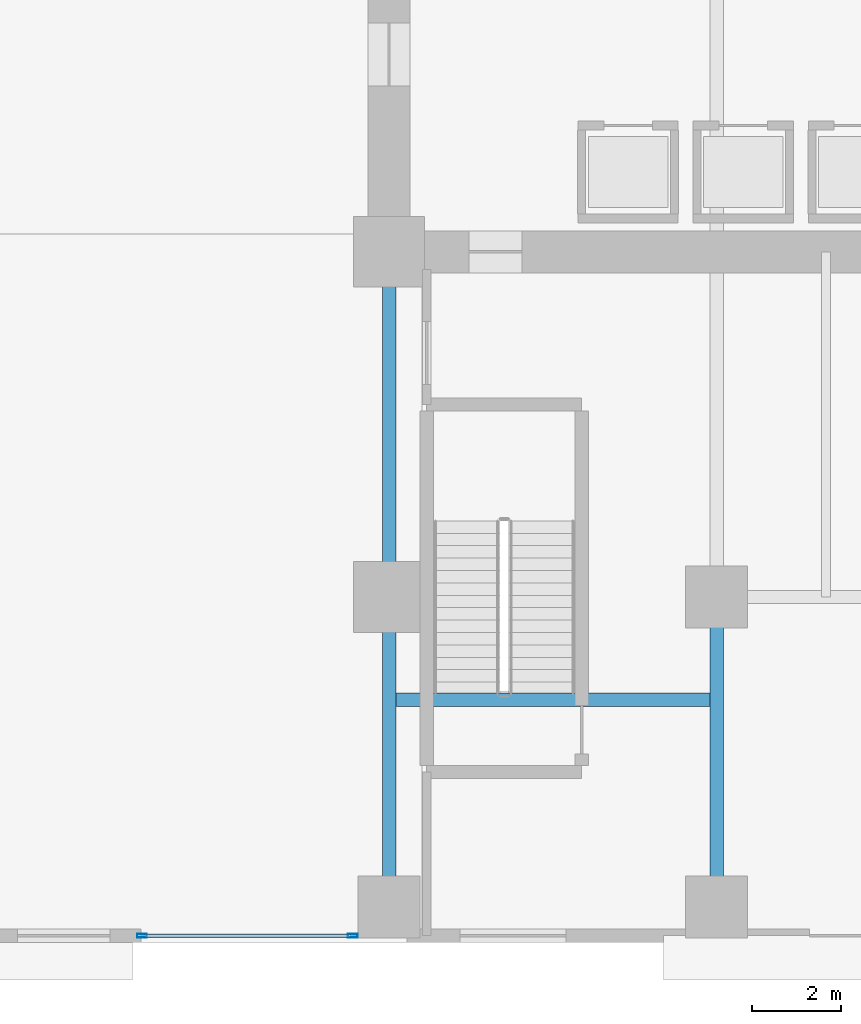
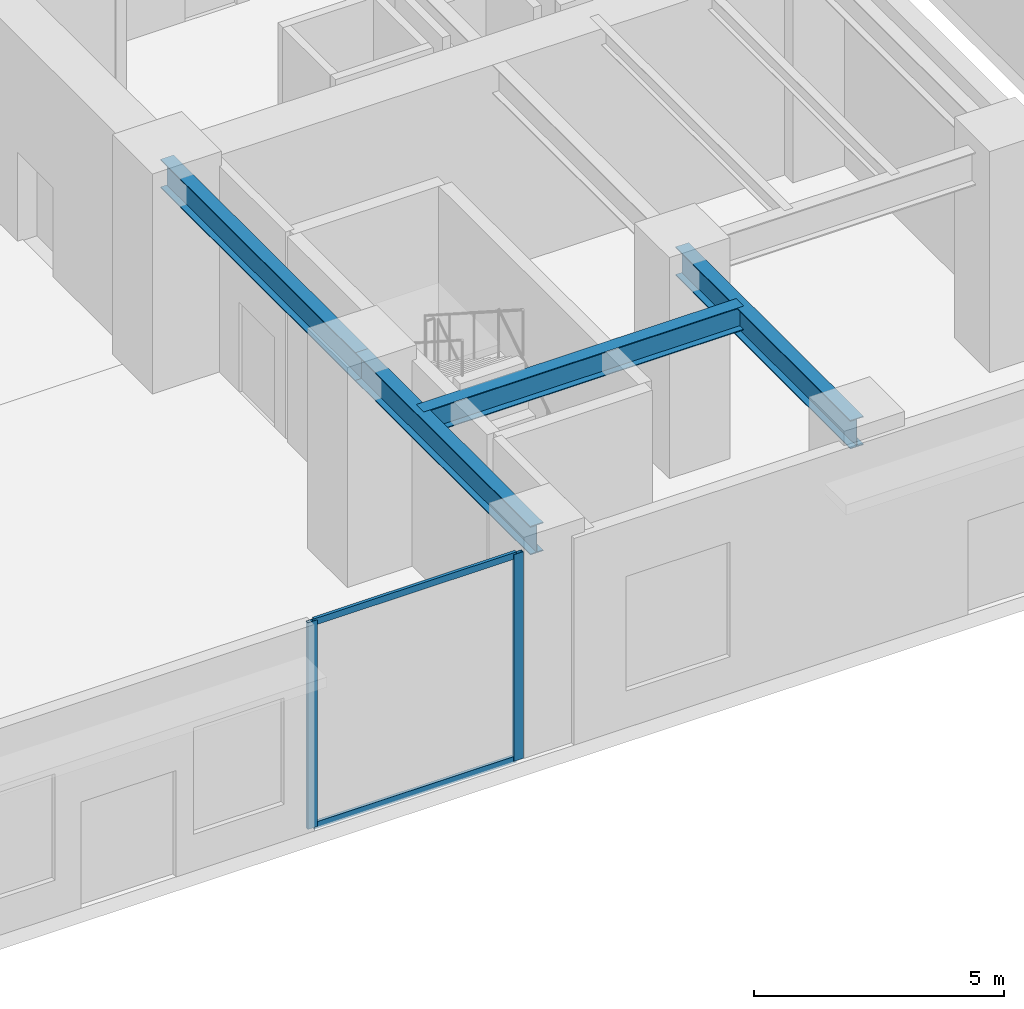
# One storey, part 7 of 28: 4 beams, 4 members, 1 element without a shape of its own.
"""IFC4 building model written with IfcOpenShell, lengths in metres."""

from ifc_helpers import new_model, si_unit, direction, frame, origin, origin_2d, place, context, subcontext, project, spatial, hollow_rectangle, i_section, extrude, source, transform, mapped, material, layer, layer_set, material_profile, profile_set, type_object, type_shapes, element, aggregate, save


model = new_model("IFC4")

# Units and contexts
model_context = context("Model", 3, precision=1e-05, world=origin(), true_north=direction((0.0, 1.0)))
body_context = subcontext(model_context, "Body", "Model", "MODEL_VIEW")
ifc_project = project(units=[si_unit("LENGTHUNIT", "METRE"), si_unit("AREAUNIT", "SQUARE_METRE"), si_unit("VOLUMEUNIT", "CUBIC_METRE"), si_unit("PLANEANGLEUNIT", "RADIAN"), si_unit("MASSUNIT", "GRAM", prefix="KILO")], contexts=[model_context])

# Site, building, storey
site_placement = place(None, origin())
site = spatial("IfcSite", under=ifc_project, at=site_placement, CompositionType="ELEMENT")
building_placement = place(site_placement, origin())
building = spatial("IfcBuilding", under=site, at=building_placement, Name="Haelvirn Gate Laboratories", CompositionType="ELEMENT")
storey_placement = place(building_placement, origin())
storey = spatial("IfcBuildingStorey", under=building, at=storey_placement, Name="L01", CompositionType="ELEMENT", Elevation=0.0)

# Beams
ifc_material_1 = material(Name="Steel SM355", Category="steel")
ifc_material_profile_1 = material_profile(ifc_material_1, i_section(OverallWidth=0.300048828125, OverallDepth=0.699951171875, WebThickness=0.012939453125, FlangeThickness=0.02392578125, at=origin_2d()), Name="H-700x300x13x24")
ifc_profile_set_1 = profile_set([ifc_material_profile_1], Name="Steel SM355")
beam_type_1 = type_object("IfcBeamType", Name="BM-G-700", PredefinedType="BEAM", material=ifc_profile_set_1)
shared_shape_1 = source(origin(), body_context, "Body", "SweptSolid", [
    extrude(i_section(OverallWidth=0.300048828125, OverallDepth=0.699951171875, WebThickness=0.012939453125, FlangeThickness=0.02392578125, at=origin_2d()), origin(), (0.0, 0.0, 1.0), 7.0),
])
for number, where, z_axis, x_axis, name in (
    (1, (52.60009765625, 0.0, 4.699951171875), (0.0, 1.0, 0.0), (-1.0, 0.0, 0.0), "L01 Stair ST4 West Trimmer Girder"),
    (2, (60.0, 0.0, 4.699951171875), (0.0, 1.0, 0.0), (-1.0, 0.0, 0.0), "L01 Stair ST4 East Trimmer Girder"),
):
    element("IfcBeam", number, at=place(storey_placement, frame(where, z_axis=z_axis, x_axis=x_axis)), inside=storey, type_object=beam_type_1, Name=name, PredefinedType="BEAM", context=body_context, shape_type="MappedRepresentation", body=[
        mapped(shared_shape_1, transform((0.0, 0.0, 0.0), scale=1.0)),
    ])
ifc_material_profile_2 = material_profile(ifc_material_1, i_section(OverallWidth=0.300048828125, OverallDepth=0.587890625, WebThickness=0.011962890625, FlangeThickness=0.02001953125, at=origin_2d()), Name="H-588x300x12x20")
ifc_profile_set_2 = profile_set([ifc_material_profile_2], Name="Steel SM355")
beam_type_2 = type_object("IfcBeamType", Name="BM-G-588", PredefinedType="BEAM", material=ifc_profile_set_2)
shared_shape_2 = source(origin(), body_context, "Body", "SweptSolid", [
    extrude(i_section(OverallWidth=0.300048828125, OverallDepth=0.587890625, WebThickness=0.011962890625, FlangeThickness=0.02001953125, at=origin_2d()), origin(), (0.0, 0.0, 1.0), 7.39990234375),
])
type_shapes(beam_type_2, [shared_shape_2])
beam_1_placement = place(storey_placement, frame((52.60009765625, 4.679931640625, 4.756103515625), z_axis=(1.0, 0.0, 0.0), x_axis=(0.0, 1.0, 0.0)))
element("IfcBeam", 3, at=beam_1_placement, inside=storey, type_object=beam_type_2, Name="L01 Stair ST4 Landing Header", PredefinedType="BEAM", context=body_context, shape_type="MappedRepresentation", body=[
    mapped(shared_shape_2, transform((0.0, 0.0, 0.0), scale=1.0)),
])
shared_shape_3 = source(origin(), body_context, "Body", "SweptSolid", [
    extrude(i_section(OverallWidth=0.300048828125, OverallDepth=0.699951171875, WebThickness=0.012939453125, FlangeThickness=0.02392578125, at=origin_2d()), origin(), (0.0, 0.0, 1.0), 7.800048828125),
])
type_shapes(beam_type_1, [shared_shape_1, shared_shape_3])
beam_2_placement = place(storey_placement, frame((52.60009765625, 7.0, 4.699951171875), z_axis=(0.0, 1.0, 0.0), x_axis=(-1.0, 0.0, 0.0)))
element("IfcBeam", 4, at=beam_2_placement, inside=storey, type_object=beam_type_1, Name="L01 Frame Girder X52.6 (7.0-14.8)", PredefinedType="BEAM", context=body_context, shape_type="MappedRepresentation", body=[
    mapped(shared_shape_3, transform((0.0, 0.0, 0.0), scale=1.0)),
])

# Curtain wall, members
ifc_material_2 = material(Name="Anodised bronze unitised aluminium & triple low-E glass", Category="aluminium")
ifc_layer = layer(ifc_material_2, 0.18798828125, Name="CW-SYS-1")
ifc_layer_set = layer_set([ifc_layer], Name="Anodised bronze unitised aluminium & triple low-E glass")
curtain_wall_type = type_object("IfcCurtainWallType", Name="CW-SYS-1", PredefinedType="NOTDEFINED", material=ifc_layer_set)
curtain_wall_placement = place(storey_placement, origin())
curtain_wall = element("IfcCurtainWall", 5, at=curtain_wall_placement, inside=storey, type_object=curtain_wall_type, Name="L01 Unitised Curtain Wall CW-L01-SR", PredefinedType="NOTDEFINED")
ifc_material_3 = material(Name="Extruded aluminium 6063-T6 (anodised bronze)", Category="aluminium")
ifc_material_profile_3 = material_profile(ifc_material_3, hollow_rectangle(XDim=0.080078125, YDim=0.219970703125, WallThickness=0.006103515625, at=origin_2d()), Name="CWM-220x80x6")
ifc_profile_set_3 = profile_set([ifc_material_profile_3], Name="Extruded aluminium 6063-T6 (anodised bronze)")
member_type_1 = type_object("IfcMemberType", Name="CWM-T220", PredefinedType="MULLION", material=ifc_profile_set_3)
shared_shape_4 = source(origin(), body_context, "Body", "SweptSolid", [
    extrude(hollow_rectangle(XDim=0.080078125, YDim=0.219970703125, WallThickness=0.006103515625, at=origin_2d()), origin(), (0.0, 0.0, 1.0), 5.050048828125),
])
type_shapes(member_type_1, [shared_shape_4])
member_1_placement = place(storey_placement, frame((47.02001953125, -0.64990234375, 0.0), z_axis=(0.0, 0.0, 1.0), x_axis=(0.0, 1.0, 0.0)))
member_1 = element("IfcMember", 6, at=member_1_placement, type_object=member_type_1, Name="CW1 mullion 1", PredefinedType="MULLION", context=body_context, shape_type="MappedRepresentation", body=[
    mapped(shared_shape_4, transform((0.0, 0.0, 0.0), scale=1.0)),
])
member_2_placement = place(storey_placement, frame((51.780029296875, -0.64990234375, 0.0), z_axis=(0.0, 0.0, 1.0), x_axis=(0.0, 1.0, 0.0)))
member_2 = element("IfcMember", 7, at=member_2_placement, type_object=member_type_1, Name="CW1 mullion 2", PredefinedType="MULLION", context=body_context, shape_type="MappedRepresentation", body=[
    mapped(shared_shape_4, transform((0.0, 0.0, 0.0), scale=1.0)),
])
ifc_material_profile_4 = material_profile(ifc_material_3, hollow_rectangle(XDim=0.070068359375, YDim=0.159912109375, WallThickness=0.0048828125, at=origin_2d()), Name="CWT-160x70x5")
ifc_profile_set_4 = profile_set([ifc_material_profile_4], Name="Extruded aluminium 6063-T6 (anodised bronze)")
member_type_2 = type_object("IfcMemberType", Name="CWT-T160", PredefinedType="USERDEFINED", material=ifc_profile_set_4)
shared_shape_5 = source(origin(), body_context, "Body", "SweptSolid", [
    extrude(hollow_rectangle(XDim=0.070068359375, YDim=0.159912109375, WallThickness=0.0048828125, at=origin_2d()), origin(), (0.0, 0.0, 1.0), 4.679931640625),
])
type_shapes(member_type_2, [shared_shape_5])
member_3_placement = place(storey_placement, frame((47.06005859375, -0.64990234375, 0.034912109375), z_axis=(1.0, 0.0, 0.0), x_axis=(0.0, 1.0, 0.0)))
member_3 = element("IfcMember", 8, at=member_3_placement, type_object=member_type_2, Name="CW1 transom 1.1", ObjectType="TRANSOM", PredefinedType="USERDEFINED", context=body_context, shape_type="MappedRepresentation", body=[
    mapped(shared_shape_5, transform((0.0, 0.0, 0.0), scale=1.0)),
])
member_4_placement = place(storey_placement, frame((47.06005859375, -0.64990234375, 5.014892578125), z_axis=(1.0, 0.0, 0.0), x_axis=(0.0, 1.0, 0.0)))
member_4 = element("IfcMember", 9, at=member_4_placement, type_object=member_type_2, Name="CW1 transom 1.2", ObjectType="TRANSOM", PredefinedType="USERDEFINED", context=body_context, shape_type="MappedRepresentation", body=[
    mapped(shared_shape_5, transform((0.0, 0.0, 0.0), scale=1.0)),
])
aggregate(curtain_wall, [member_1, member_2, member_3, member_4])

save(model, "model.ifc")
